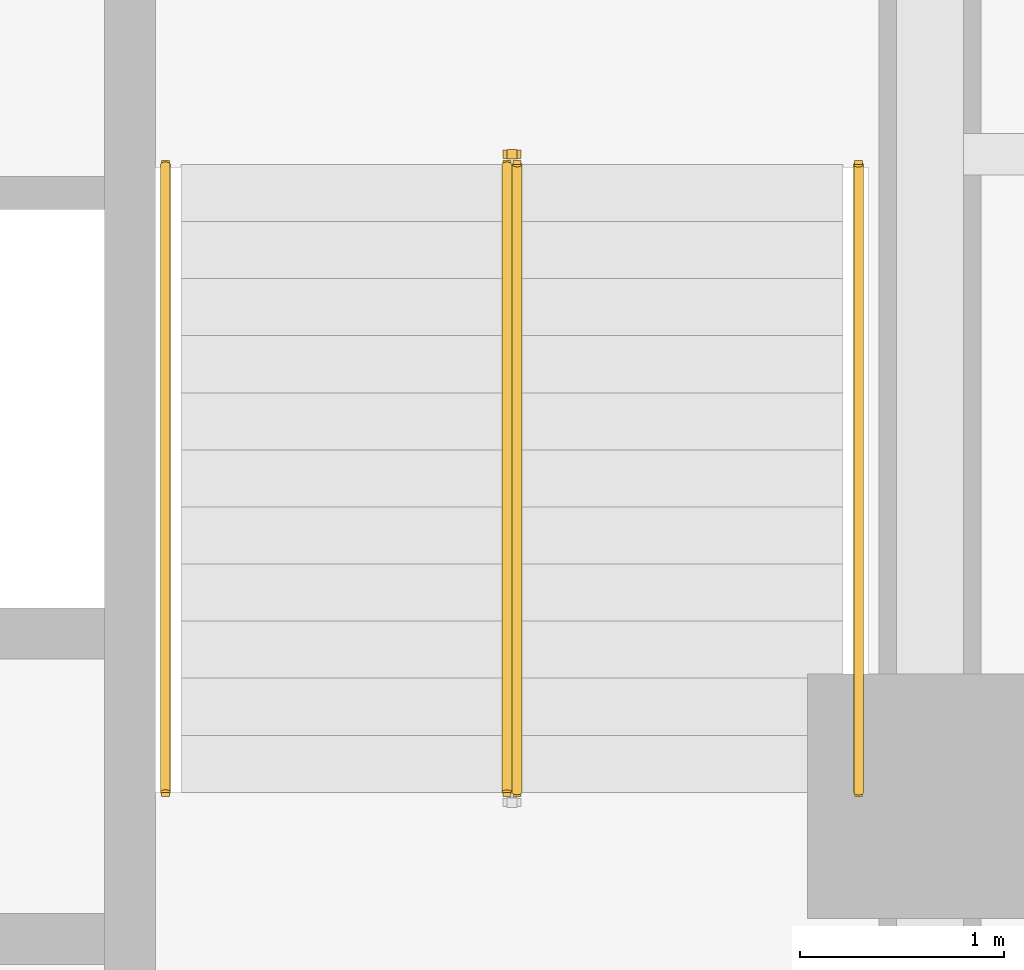
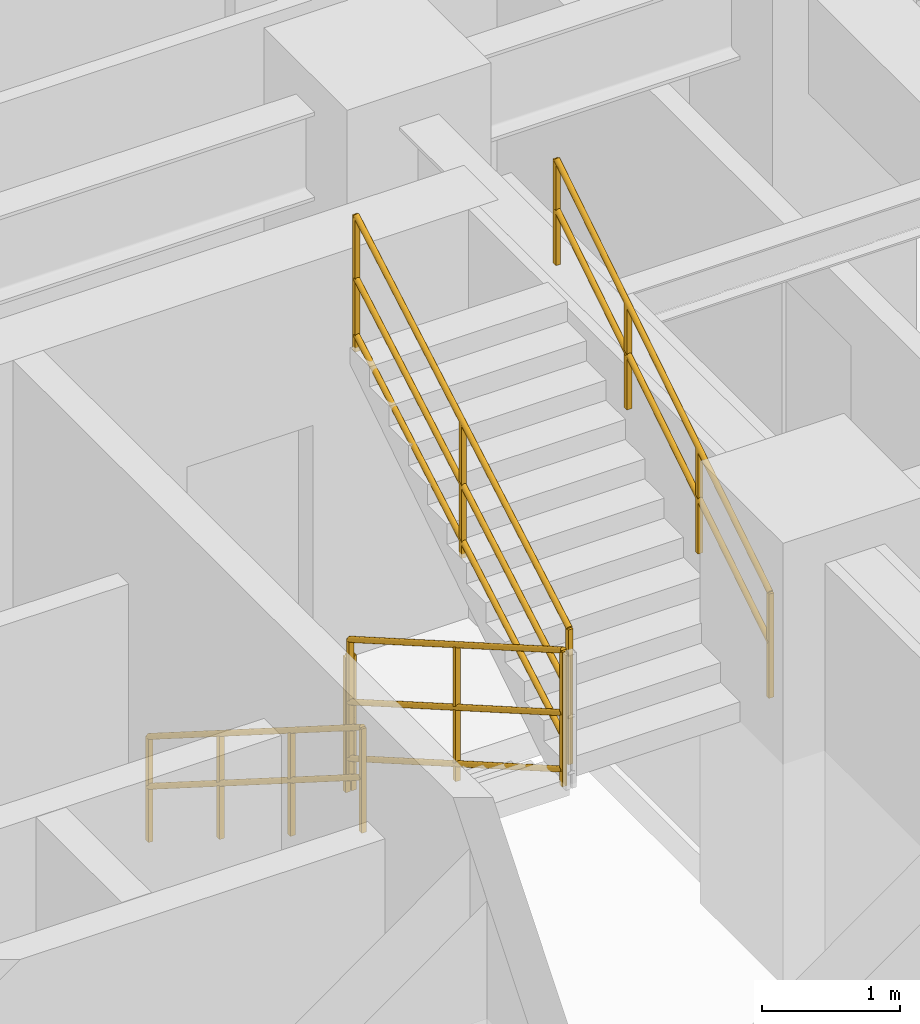
# One storey, part 8 of 9: 5 railings.
"""IFC4 building model written with IfcOpenShell, lengths in metres."""

from ifc_helpers import new_model, entity, si_unit, converted_unit, direction, frame, origin_with_axes, origin_2d_with_axis, place, context, subcontext, project, spatial, rectangle, circle, extrude, material, type_object, element, save


model = new_model("IFC4")

# Units and contexts
model_context = context("Model", 3, precision=1e-05, world=origin_with_axes(), true_north=direction((0.0, 1.0)))
body_context = subcontext(model_context, "Body", "Model", "MODEL_VIEW")
ifc_project = project(units=[si_unit("LENGTHUNIT", "METRE"), si_unit("AREAUNIT", "SQUARE_METRE"), si_unit("VOLUMEUNIT", "CUBIC_METRE"), converted_unit("PLANEANGLEUNIT", "DEGREE", entity("IfcPlaneAngleMeasure", 0.017453292519943295), si_unit("PLANEANGLEUNIT", "RADIAN"), dimensions=[0, 0, 0, 0, 0, 0, 0]), si_unit("MASSUNIT", "GRAM", prefix="KILO"), si_unit("THERMODYNAMICTEMPERATUREUNIT", "KELVIN")], contexts=[model_context])

# Site, building, storey
site_placement = place(None, origin_with_axes())
site = spatial("IfcSite", under=ifc_project, at=site_placement, CompositionType="ELEMENT")
building_placement = place(site_placement, origin_with_axes())
building = spatial("IfcBuilding", under=site, at=building_placement, Name="Varnlund Millrace Tower", CompositionType="ELEMENT")
storey_placement = place(building_placement, frame((0.0, 0.0, 120.3), z_axis=(0.0, 0.0, 1.0), x_axis=(1.0, 0.0, 0.0)))
storey = spatial("IfcBuildingStorey", under=building, at=storey_placement, Name="L29", CompositionType="ELEMENT", Elevation=120.3)

# Railings
ifc_material_1 = material(Name="Painted steel stair well balustrade guard", Category="steel")
railing_type_1 = type_object("IfcRailingType", Name="Type-StairGuard-1150", PredefinedType="GUARDRAIL", material=ifc_material_1)
railing_1_placement = place(storey_placement, frame((0.0, 0.0, -120.3), z_axis=(0.0, 0.0, 1.0), x_axis=(1.0, 0.0, 0.0)))
element("IfcRailing", 1, at=railing_1_placement, inside=storey, type_object=railing_type_1, Name="Type-StairGuard-1150", PredefinedType="GUARDRAIL", context=body_context, shape_type="SweptSolid", body=[
    extrude(circle(Radius=0.024, at=origin_2d_with_axis()), frame((45.975, 21.1, 121.627273), z_axis=(0.0, -0.866696, 0.498836), x_axis=(1.0, 0.0, 0.0)), (0.0, 0.0, 1.0), 3.553725),
    extrude(circle(Radius=0.024, at=origin_2d_with_axis()), frame((45.975, 21.1, 120.577273), z_axis=(0.0, -0.866696, 0.498836), x_axis=(1.0, 0.0, 0.0)), (0.0, 0.0, 1.0), 3.553725),
    extrude(circle(Radius=0.024, at=origin_2d_with_axis()), frame((45.975, 21.1, 121.075273), z_axis=(0.0, -0.866696, 0.498836), x_axis=(1.0, 0.0, 0.0)), (0.0, 0.0, 1.0), 3.553725),
    extrude(rectangle(XDim=0.04, YDim=0.04, at=origin_2d_with_axis()), frame((45.975, 21.1, 120.437273), z_axis=(0.0, 0.0, 1.0), x_axis=(1.0, 0.0, 0.0)), (0.0, 0.0, 1.0), 1.19),
    extrude(rectangle(XDim=0.04, YDim=0.04, at=origin_2d_with_axis()), frame((45.975, 19.56, 121.323636), z_axis=(0.0, 0.0, 1.0), x_axis=(1.0, 0.0, 0.0)), (0.0, 0.0, 1.0), 1.19),
    extrude(rectangle(XDim=0.04, YDim=0.04, at=origin_2d_with_axis()), frame((45.975, 18.02, 122.21), z_axis=(0.0, 0.0, 1.0), x_axis=(1.0, 0.0, 0.0)), (0.0, 0.0, 1.0), 1.19),
])
railing_2_placement = place(storey_placement, frame((0.0, 0.0, -120.3), z_axis=(0.0, 0.0, 1.0), x_axis=(1.0, 0.0, 0.0)))
element("IfcRailing", 2, at=railing_2_placement, inside=storey, type_object=railing_type_1, Name="Type-StairGuard-1150", PredefinedType="GUARDRAIL", context=body_context, shape_type="SweptSolid", body=[
    extrude(circle(Radius=0.024, at=origin_2d_with_axis()), frame((46.025, 18.02, 123.577273), z_axis=(0.0, 0.866696, 0.498836), x_axis=(-1.0, 0.0, 0.0)), (0.0, 0.0, 1.0), 3.553725),
    extrude(circle(Radius=0.024, at=origin_2d_with_axis()), frame((46.025, 18.02, 122.527273), z_axis=(0.0, 0.866696, 0.498836), x_axis=(-1.0, 0.0, 0.0)), (0.0, 0.0, 1.0), 3.553725),
    extrude(circle(Radius=0.024, at=origin_2d_with_axis()), frame((46.025, 18.02, 123.025273), z_axis=(0.0, 0.866696, 0.498836), x_axis=(-1.0, 0.0, 0.0)), (0.0, 0.0, 1.0), 3.553725),
    extrude(rectangle(XDim=0.04, YDim=0.04, at=origin_2d_with_axis()), frame((46.025, 18.02, 122.387273), z_axis=(0.0, 0.0, 1.0), x_axis=(1.0, 0.0, 0.0)), (0.0, 0.0, 1.0), 1.19),
    extrude(rectangle(XDim=0.04, YDim=0.04, at=origin_2d_with_axis()), frame((46.025, 19.56, 123.273636), z_axis=(0.0, 0.0, 1.0), x_axis=(1.0, 0.0, 0.0)), (0.0, 0.0, 1.0), 1.19),
    extrude(rectangle(XDim=0.04, YDim=0.04, at=origin_2d_with_axis()), frame((46.025, 21.1, 124.16), z_axis=(0.0, 0.0, 1.0), x_axis=(1.0, 0.0, 0.0)), (0.0, 0.0, 1.0), 1.19),
])
railing_3_placement = place(storey_placement, frame((0.0, 0.0, -120.3), z_axis=(0.0, 0.0, 1.0), x_axis=(1.0, 0.0, 0.0)))
element("IfcRailing", 3, at=railing_3_placement, inside=storey, type_object=railing_type_1, Name="Type-StairGuard-1150", PredefinedType="GUARDRAIL", context=body_context, shape_type="SweptSolid", body=[
    extrude(circle(Radius=0.024, at=origin_2d_with_axis()), frame((46.025, 21.15, 121.45), z_axis=(-1.0, 0.0, 0.0), x_axis=(0.0, -1.0, 0.0)), (0.0, 0.0, 1.0), 0.05),
    extrude(circle(Radius=0.024, at=origin_2d_with_axis()), frame((46.025, 21.15, 120.4), z_axis=(-1.0, 0.0, 0.0), x_axis=(0.0, -1.0, 0.0)), (0.0, 0.0, 1.0), 0.05),
    extrude(circle(Radius=0.024, at=origin_2d_with_axis()), frame((46.025, 21.15, 120.898), z_axis=(-1.0, 0.0, 0.0), x_axis=(0.0, -1.0, 0.0)), (0.0, 0.0, 1.0), 0.05),
    extrude(rectangle(XDim=0.04, YDim=0.04, at=origin_2d_with_axis()), frame((46.025, 21.15, 120.26), z_axis=(0.0, 0.0, 1.0), x_axis=(1.0, 0.0, 0.0)), (0.0, 0.0, 1.0), 1.19),
    extrude(rectangle(XDim=0.04, YDim=0.04, at=origin_2d_with_axis()), frame((45.975, 21.15, 120.26), z_axis=(0.0, 0.0, 1.0), x_axis=(1.0, 0.0, 0.0)), (0.0, 0.0, 1.0), 1.19),
])
ifc_material_2 = material(Name="Brushed architectural bronze stair handrail", Category="aluminium")
railing_type_2 = type_object("IfcRailingType", Name="Type-StairHandrail-900", PredefinedType="HANDRAIL", material=ifc_material_2)
railing_4_placement = place(storey_placement, frame((0.0, 0.0, -120.3), z_axis=(0.0, 0.0, 1.0), x_axis=(1.0, 0.0, 0.0)))
element("IfcRailing", 4, at=railing_4_placement, inside=storey, type_object=railing_type_2, Name="Type-StairHandrail-900", PredefinedType="HANDRAIL", context=body_context, shape_type="SweptSolid", body=[
    extrude(circle(Radius=0.024, at=origin_2d_with_axis()), frame((44.3, 21.1, 121.356995), z_axis=(0.0, -0.844902, 0.534922), x_axis=(1.0, 0.0, 0.0)), (0.0, 0.0, 1.0), 3.645394),
    extrude(circle(Radius=0.024, at=origin_2d_with_axis()), frame((44.3, 21.1, 120.917134), z_axis=(0.0, -0.844902, 0.534922), x_axis=(1.0, 0.0, 0.0)), (0.0, 0.0, 1.0), 3.645394),
    extrude(rectangle(XDim=0.04, YDim=0.04, at=origin_2d_with_axis()), frame((44.3, 21.1, 120.437273), z_axis=(0.0, 0.0, 1.0), x_axis=(1.0, 0.0, 0.0)), (0.0, 0.0, 1.0), 0.919722),
    extrude(rectangle(XDim=0.04, YDim=0.04, at=origin_2d_with_axis()), frame((44.3, 20.073333, 121.087273), z_axis=(0.0, 0.0, 1.0), x_axis=(1.0, 0.0, 0.0)), (0.0, 0.0, 1.0), 0.919722),
    extrude(rectangle(XDim=0.04, YDim=0.04, at=origin_2d_with_axis()), frame((44.3, 19.046667, 121.737273), z_axis=(0.0, 0.0, 1.0), x_axis=(1.0, 0.0, 0.0)), (0.0, 0.0, 1.0), 0.919722),
    extrude(rectangle(XDim=0.04, YDim=0.04, at=origin_2d_with_axis()), frame((44.3, 18.02, 122.387273), z_axis=(0.0, 0.0, 1.0), x_axis=(1.0, 0.0, 0.0)), (0.0, 0.0, 1.0), 0.919722),
])
railing_5_placement = place(storey_placement, frame((0.0, 0.0, -120.3), z_axis=(0.0, 0.0, 1.0), x_axis=(1.0, 0.0, 0.0)))
element("IfcRailing", 5, at=railing_5_placement, inside=storey, type_object=railing_type_2, Name="Type-StairHandrail-900", PredefinedType="HANDRAIL", context=body_context, shape_type="SweptSolid", body=[
    extrude(circle(Radius=0.024, at=origin_2d_with_axis()), frame((47.7, 18.02, 123.306995), z_axis=(0.0, 0.844902, 0.534922), x_axis=(-1.0, 0.0, 0.0)), (0.0, 0.0, 1.0), 3.645394),
    extrude(circle(Radius=0.024, at=origin_2d_with_axis()), frame((47.7, 18.02, 122.867134), z_axis=(0.0, 0.844902, 0.534922), x_axis=(-1.0, 0.0, 0.0)), (0.0, 0.0, 1.0), 3.645394),
    extrude(rectangle(XDim=0.04, YDim=0.04, at=origin_2d_with_axis()), frame((47.7, 18.02, 122.387273), z_axis=(0.0, 0.0, 1.0), x_axis=(1.0, 0.0, 0.0)), (0.0, 0.0, 1.0), 0.919722),
    extrude(rectangle(XDim=0.04, YDim=0.04, at=origin_2d_with_axis()), frame((47.7, 19.046667, 123.037273), z_axis=(0.0, 0.0, 1.0), x_axis=(1.0, 0.0, 0.0)), (0.0, 0.0, 1.0), 0.919722),
    extrude(rectangle(XDim=0.04, YDim=0.04, at=origin_2d_with_axis()), frame((47.7, 20.073333, 123.687273), z_axis=(0.0, 0.0, 1.0), x_axis=(1.0, 0.0, 0.0)), (0.0, 0.0, 1.0), 0.919722),
    extrude(rectangle(XDim=0.04, YDim=0.04, at=origin_2d_with_axis()), frame((47.7, 21.1, 124.337273), z_axis=(0.0, 0.0, 1.0), x_axis=(1.0, 0.0, 0.0)), (0.0, 0.0, 1.0), 0.919722),
])

save(model, "model.ifc")
